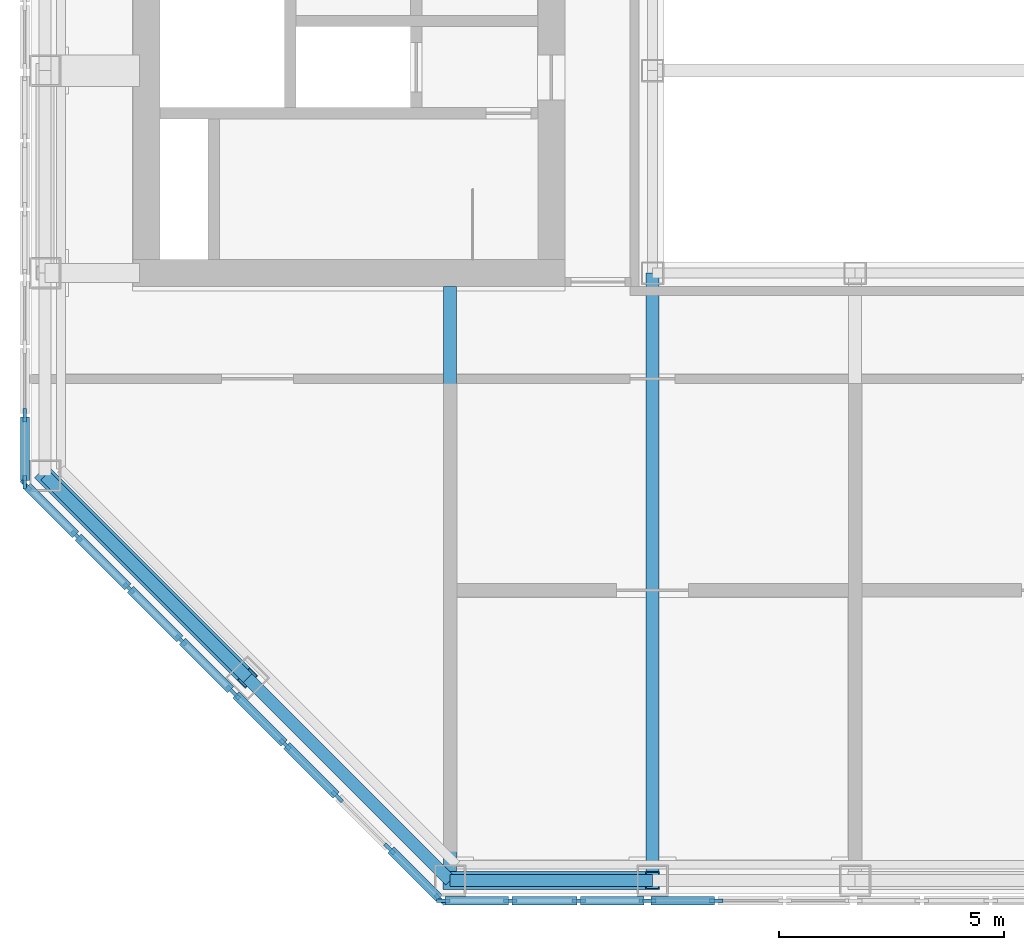
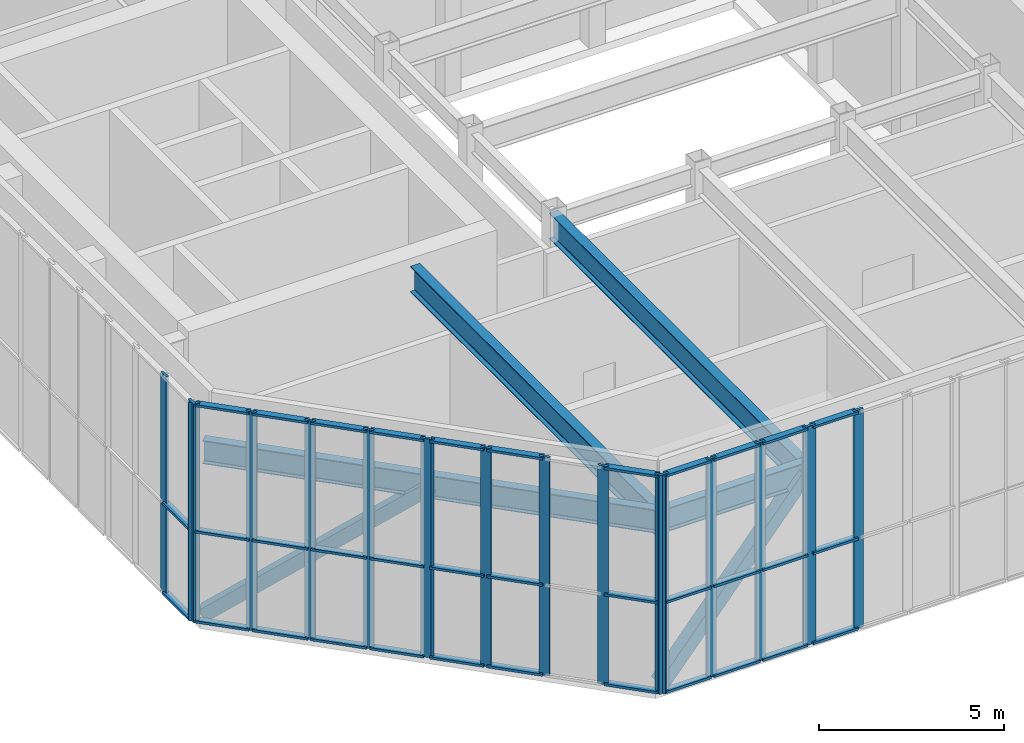
# One storey, part 2 of 15: 55 members, 5 beams, 5 elements without a shape of their own.
"""IFC4 building model written with IfcOpenShell, lengths in metres."""

from ifc_helpers import new_model, si_unit, direction, frame, origin, origin_2d, place, context, subcontext, project, spatial, rectangle, hollow_rectangle, i_section, extrude, material, material_profile, profile_set, type_object, element, aggregate, save


model = new_model("IFC4")

# Units and contexts
model_context = context("Model", 3, precision=1e-05, world=origin(), true_north=direction((0.0, 1.0)))
body_context = subcontext(model_context, "Body", "Model", "MODEL_VIEW")
ifc_project = project(units=[si_unit("LENGTHUNIT", "METRE"), si_unit("AREAUNIT", "SQUARE_METRE"), si_unit("VOLUMEUNIT", "CUBIC_METRE"), si_unit("PLANEANGLEUNIT", "RADIAN"), si_unit("MASSUNIT", "GRAM", prefix="KILO")], contexts=[model_context])

# Site, building, storey
site_placement = place(None, origin())
site = spatial("IfcSite", under=ifc_project, at=site_placement, CompositionType="ELEMENT")
building_placement = place(site_placement, origin())
building = spatial("IfcBuilding", under=site, at=building_placement, Name="Msasa Ring Tower", CompositionType="ELEMENT")
storey_placement = place(building_placement, frame((0.0, 0.0, 268.050048828125)))
storey = spatial("IfcBuildingStorey", under=building, at=storey_placement, Name="L69", CompositionType="ELEMENT", Elevation=268.050048828125)

# Curtain wall, members
ifc_material_1 = material(Name="Aluminium curtain wall with clear glass", Category="aluminium")
curtain_wall_type_1 = type_object("IfcCurtainWallType", Name="CW-L LANTERN CURTAIN WALL", PredefinedType="NOTDEFINED", material=ifc_material_1)
curtain_wall_1_placement = place(storey_placement, origin())
curtain_wall_1 = element("IfcCurtainWall", 1, at=curtain_wall_1_placement, inside=storey, type_object=curtain_wall_type_1, Name="Lantern curtain wall S2 L69", PredefinedType="NOTDEFINED")
ifc_material_2 = material(Name="Aluminium mullion", Category="aluminium")
ifc_material_profile_1 = material_profile(ifc_material_2, rectangle(XDim=0.080078125, YDim=0.300048828125, at=origin_2d()), Name="AL 80x300")
ifc_profile_set_1 = profile_set([ifc_material_profile_1], Name="Aluminium mullion")
member_type_1 = type_object("IfcMemberType", Name="CW-L MULLION 80x300", PredefinedType="MULLION", material=ifc_profile_set_1)
member_1_placement = place(storey_placement, frame((-6.82177734375, -20.699951171875, 0.0), z_axis=(0.0, 0.0, 1.0), x_axis=(0.0, 1.0, 0.0)))
member_1 = element("IfcMember", 2, at=member_1_placement, type_object=member_type_1, Name="CW-L mullion 1", PredefinedType="MULLION", context=body_context, shape_type="SweptSolid", body=[
    extrude(rectangle(XDim=0.080078125, YDim=0.300048828125, at=origin_2d()), origin(), (0.0, 0.0, 1.0), 7.199951171875),
])
member_2_placement = place(storey_placement, frame((-5.3369140625, -20.699951171875, 0.0), z_axis=(0.0, 0.0, 1.0), x_axis=(0.0, 1.0, 0.0)))
member_2 = element("IfcMember", 3, at=member_2_placement, type_object=member_type_1, Name="CW-L mullion 2", PredefinedType="MULLION", context=body_context, shape_type="SweptSolid", body=[
    extrude(rectangle(XDim=0.080078125, YDim=0.300048828125, at=origin_2d()), origin(), (0.0, 0.0, 1.0), 7.199951171875),
])

curtain_wall_2_placement = place(storey_placement, origin())
curtain_wall_2 = element("IfcCurtainWall", 4, at=curtain_wall_2_placement, inside=storey, type_object=curtain_wall_type_1, Name="Lantern curtain wall W6 L69", PredefinedType="NOTDEFINED")
member_3_placement = place(storey_placement, frame((-20.699951171875, -9.91162109375, 0.0), z_axis=(0.0, 0.0, 1.0), x_axis=(1.0, 0.0, 0.0)))
member_3 = element("IfcMember", 5, at=member_3_placement, type_object=member_type_1, Name="CW-L mullion 3", PredefinedType="MULLION", context=body_context, shape_type="SweptSolid", body=[
    extrude(rectangle(XDim=0.080078125, YDim=0.300048828125, at=origin_2d()), origin(), (0.0, 0.0, 1.0), 7.199951171875),
])
member_4_placement = place(storey_placement, frame((-20.699951171875, -11.396484375, 0.0), z_axis=(0.0, 0.0, 1.0), x_axis=(1.0, 0.0, 0.0)))
member_4 = element("IfcMember", 6, at=member_4_placement, type_object=member_type_1, Name="CW-L mullion 4", PredefinedType="MULLION", context=body_context, shape_type="SweptSolid", body=[
    extrude(rectangle(XDim=0.080078125, YDim=0.300048828125, at=origin_2d()), origin(), (0.0, 0.0, 1.0), 7.199951171875),
])

curtain_wall_3_placement = place(storey_placement, origin())
curtain_wall_3 = element("IfcCurtainWall", 7, at=curtain_wall_3_placement, inside=storey, type_object=curtain_wall_type_1, Name="Lantern curtain wall SW2 L69", PredefinedType="NOTDEFINED")
member_5_placement = place(storey_placement, frame((-16.039794921875, -16.096435546875, 0.0), z_axis=(0.0, 0.0, 1.0), x_axis=(0.707106781187, 0.707106781187, 0.0)))
member_5 = element("IfcMember", 8, at=member_5_placement, type_object=member_type_1, Name="CW-L mullion 1", PredefinedType="MULLION", context=body_context, shape_type="SweptSolid", body=[
    extrude(rectangle(XDim=0.080078125, YDim=0.300048828125, at=origin_2d()), origin(), (0.0, 0.0, 1.0), 7.199951171875),
])
member_6_placement = place(storey_placement, frame((-14.91015625, -17.22607421875, 0.0), z_axis=(0.0, 0.0, 1.0), x_axis=(0.707106781187, 0.707106781187, 0.0)))
member_6 = element("IfcMember", 9, at=member_6_placement, type_object=member_type_1, Name="CW-L mullion 2", PredefinedType="MULLION", context=body_context, shape_type="SweptSolid", body=[
    extrude(rectangle(XDim=0.080078125, YDim=0.300048828125, at=origin_2d()), origin(), (0.0, 0.0, 1.0), 7.199951171875),
])
member_7_placement = place(storey_placement, frame((-13.752197265625, -18.384033203125, 0.0), z_axis=(0.0, 0.0, 1.0), x_axis=(0.707106781187, 0.707106781187, 0.0)))
member_7 = element("IfcMember", 10, at=member_7_placement, type_object=member_type_1, Name="CW-L mullion 3", PredefinedType="MULLION", context=body_context, shape_type="SweptSolid", body=[
    extrude(rectangle(XDim=0.080078125, YDim=0.300048828125, at=origin_2d()), origin(), (0.0, 0.0, 1.0), 7.199951171875),
])
member_8_placement = place(storey_placement, frame((-12.59423828125, -19.5419921875, 0.0), z_axis=(0.0, 0.0, 1.0), x_axis=(0.707106781187, 0.707106781187, 0.0)))
member_8 = element("IfcMember", 11, at=member_8_placement, type_object=member_type_1, Name="CW-L mullion 4", PredefinedType="MULLION", context=body_context, shape_type="SweptSolid", body=[
    extrude(rectangle(XDim=0.080078125, YDim=0.300048828125, at=origin_2d()), origin(), (0.0, 0.0, 1.0), 7.199951171875),
])
member_9_placement = place(storey_placement, frame((-11.464599609375, -20.671630859375, 0.0), z_axis=(0.0, 0.0, 1.0), x_axis=(0.707106781187, 0.707106781187, 0.0)))
member_9 = element("IfcMember", 12, at=member_9_placement, type_object=member_type_1, Name="CW-L mullion 5", PredefinedType="MULLION", context=body_context, shape_type="SweptSolid", body=[
    extrude(rectangle(XDim=0.080078125, YDim=0.300048828125, at=origin_2d()), origin(), (0.0, 0.0, 1.0), 7.199951171875),
])

# Member
ifc_material_3 = material(Name="Aluminium transom", Category="aluminium")
ifc_material_profile_2 = material_profile(ifc_material_3, rectangle(XDim=0.199951171875, YDim=0.080078125, at=origin_2d()), Name="AL 80x200")
ifc_profile_set_2 = profile_set([ifc_material_profile_2], Name="Aluminium transom")
member_type_2 = type_object("IfcMemberType", Name="CW-L TRANSOM 80x200", PredefinedType="USERDEFINED", material=ifc_profile_set_2)
member_10_placement = place(storey_placement, frame((-6.78173828125, -20.699951171875, 0.0400390625), z_axis=(1.0, 0.0, 0.0), x_axis=(0.0, 1.0, 0.0)))
member_10 = element("IfcMember", 13, at=member_10_placement, type_object=member_type_2, Name="CW-L transom 1.1", ObjectType="TRANSOM", PredefinedType="USERDEFINED", context=body_context, shape_type="SweptSolid", body=[
    extrude(rectangle(XDim=0.199951171875, YDim=0.080078125, at=origin_2d()), origin(), (0.0, 0.0, 1.0), 1.40478515625),
])

member_11_placement = place(storey_placement, frame((-6.78173828125, -20.699951171875, 3.0), z_axis=(1.0, 0.0, 0.0), x_axis=(0.0, 1.0, 0.0)))
member_11 = element("IfcMember", 14, at=member_11_placement, type_object=member_type_2, Name="CW-L transom 1.2", ObjectType="TRANSOM", PredefinedType="USERDEFINED", context=body_context, shape_type="SweptSolid", body=[
    extrude(rectangle(XDim=0.199951171875, YDim=0.080078125, at=origin_2d()), origin(), (0.0, 0.0, 1.0), 1.40478515625),
])

member_12_placement = place(storey_placement, frame((-6.78173828125, -20.699951171875, 7.159912109375), z_axis=(1.0, 0.0, 0.0), x_axis=(0.0, 1.0, 0.0)))
member_12 = element("IfcMember", 15, at=member_12_placement, type_object=member_type_2, Name="CW-L transom 1.3", ObjectType="TRANSOM", PredefinedType="USERDEFINED", context=body_context, shape_type="SweptSolid", body=[
    extrude(rectangle(XDim=0.199951171875, YDim=0.080078125, at=origin_2d()), origin(), (0.0, 0.0, 1.0), 1.40478515625),
])

aggregate(curtain_wall_1, [member_1, member_2, member_10, member_11, member_12])

member_13_placement = place(storey_placement, frame((-20.699951171875, -9.951416015625, 0.0400390625), z_axis=(0.0, -1.0, 0.0), x_axis=(1.0, 0.0, 0.0)))
member_13 = element("IfcMember", 16, at=member_13_placement, type_object=member_type_2, Name="CW-L transom 3.1", ObjectType="TRANSOM", PredefinedType="USERDEFINED", context=body_context, shape_type="SweptSolid", body=[
    extrude(rectangle(XDim=0.199951171875, YDim=0.080078125, at=origin_2d()), origin(), (0.0, 0.0, 1.0), 1.405029296875),
])

member_14_placement = place(storey_placement, frame((-20.699951171875, -9.951416015625, 3.0), z_axis=(0.0, -1.0, 0.0), x_axis=(1.0, 0.0, 0.0)))
member_14 = element("IfcMember", 17, at=member_14_placement, type_object=member_type_2, Name="CW-L transom 3.2", ObjectType="TRANSOM", PredefinedType="USERDEFINED", context=body_context, shape_type="SweptSolid", body=[
    extrude(rectangle(XDim=0.199951171875, YDim=0.080078125, at=origin_2d()), origin(), (0.0, 0.0, 1.0), 1.405029296875),
])

aggregate(curtain_wall_2, [member_3, member_4, member_13, member_14])

member_15_placement = place(storey_placement, frame((-16.01171875, -16.124755859375, 0.0400390625), z_axis=(0.707187211918, -0.707026341306, 0.0), x_axis=(0.707026341306, 0.707187211918, 0.0)))
member_15 = element("IfcMember", 18, at=member_15_placement, type_object=member_type_2, Name="CW-L transom 1.1", ObjectType="TRANSOM", PredefinedType="USERDEFINED", context=body_context, shape_type="SweptSolid", body=[
    extrude(rectangle(XDim=0.199951171875, YDim=0.080078125, at=origin_2d()), origin(), (0.0, 0.0, 1.0), 1.517578125),
])

member_16_placement = place(storey_placement, frame((-16.01171875, -16.124755859375, 3.0), z_axis=(0.707187211918, -0.707026341306, 0.0), x_axis=(0.707026341306, 0.707187211918, 0.0)))
member_16 = element("IfcMember", 19, at=member_16_placement, type_object=member_type_2, Name="CW-L transom 1.2", ObjectType="TRANSOM", PredefinedType="USERDEFINED", context=body_context, shape_type="SweptSolid", body=[
    extrude(rectangle(XDim=0.199951171875, YDim=0.080078125, at=origin_2d()), origin(), (0.0, 0.0, 1.0), 1.517578125),
])

member_17_placement = place(storey_placement, frame((-16.01171875, -16.124755859375, 7.159912109375), z_axis=(0.707187211918, -0.707026341306, 0.0), x_axis=(0.707026341306, 0.707187211918, 0.0)))
member_17 = element("IfcMember", 20, at=member_17_placement, type_object=member_type_2, Name="CW-L transom 1.3", ObjectType="TRANSOM", PredefinedType="USERDEFINED", context=body_context, shape_type="SweptSolid", body=[
    extrude(rectangle(XDim=0.199951171875, YDim=0.080078125, at=origin_2d()), origin(), (0.0, 0.0, 1.0), 1.517578125),
])

member_18_placement = place(storey_placement, frame((-14.882080078125, -17.25439453125, 0.0400390625), z_axis=(0.707185143992, -0.707028409696, 0.0), x_axis=(0.707028409696, 0.707185143992, 0.0)))
member_18 = element("IfcMember", 21, at=member_18_placement, type_object=member_type_2, Name="CW-L transom 2.1", ObjectType="TRANSOM", PredefinedType="USERDEFINED", context=body_context, shape_type="SweptSolid", body=[
    extrude(rectangle(XDim=0.199951171875, YDim=0.080078125, at=origin_2d()), origin(), (0.0, 0.0, 1.0), 1.5576171875),
])

member_19_placement = place(storey_placement, frame((-14.882080078125, -17.25439453125, 3.0), z_axis=(0.707185143992, -0.707028409696, 0.0), x_axis=(0.707028409696, 0.707185143992, 0.0)))
member_19 = element("IfcMember", 22, at=member_19_placement, type_object=member_type_2, Name="CW-L transom 2.2", ObjectType="TRANSOM", PredefinedType="USERDEFINED", context=body_context, shape_type="SweptSolid", body=[
    extrude(rectangle(XDim=0.199951171875, YDim=0.080078125, at=origin_2d()), origin(), (0.0, 0.0, 1.0), 1.5576171875),
])

member_20_placement = place(storey_placement, frame((-14.882080078125, -17.25439453125, 7.159912109375), z_axis=(0.707185143992, -0.707028409696, 0.0), x_axis=(0.707028409696, 0.707185143992, 0.0)))
member_20 = element("IfcMember", 23, at=member_20_placement, type_object=member_type_2, Name="CW-L transom 2.3", ObjectType="TRANSOM", PredefinedType="USERDEFINED", context=body_context, shape_type="SweptSolid", body=[
    extrude(rectangle(XDim=0.199951171875, YDim=0.080078125, at=origin_2d()), origin(), (0.0, 0.0, 1.0), 1.5576171875),
])

member_21_placement = place(storey_placement, frame((-12.566162109375, -19.5703125, 0.0400390625), z_axis=(0.707187211918, -0.707026341306, 0.0), x_axis=(0.707026341306, 0.707187211918, 0.0)))
member_21 = element("IfcMember", 24, at=member_21_placement, type_object=member_type_2, Name="CW-L transom 4.1", ObjectType="TRANSOM", PredefinedType="USERDEFINED", context=body_context, shape_type="SweptSolid", body=[
    extrude(rectangle(XDim=0.199951171875, YDim=0.080078125, at=origin_2d()), origin(), (0.0, 0.0, 1.0), 1.517578125),
])

member_22_placement = place(storey_placement, frame((-12.566162109375, -19.5703125, 3.0), z_axis=(0.707187211918, -0.707026341306, 0.0), x_axis=(0.707026341306, 0.707187211918, 0.0)))
member_22 = element("IfcMember", 25, at=member_22_placement, type_object=member_type_2, Name="CW-L transom 4.2", ObjectType="TRANSOM", PredefinedType="USERDEFINED", context=body_context, shape_type="SweptSolid", body=[
    extrude(rectangle(XDim=0.199951171875, YDim=0.080078125, at=origin_2d()), origin(), (0.0, 0.0, 1.0), 1.517578125),
])

member_23_placement = place(storey_placement, frame((-12.566162109375, -19.5703125, 7.159912109375), z_axis=(0.707187211918, -0.707026341306, 0.0), x_axis=(0.707026341306, 0.707187211918, 0.0)))
member_23 = element("IfcMember", 26, at=member_23_placement, type_object=member_type_2, Name="CW-L transom 4.3", ObjectType="TRANSOM", PredefinedType="USERDEFINED", context=body_context, shape_type="SweptSolid", body=[
    extrude(rectangle(XDim=0.199951171875, YDim=0.080078125, at=origin_2d()), origin(), (0.0, 0.0, 1.0), 1.517578125),
])

aggregate(curtain_wall_3, [member_5, member_6, member_7, member_8, member_9, member_15, member_16, member_17, member_18, member_19, member_20, member_21, member_22, member_23])

# Curtain wall, members
ifc_material_4 = material(Name="Aluminium curtain wall with insulated terracotta-faced panels", Category="masonry")
curtain_wall_type_2 = type_object("IfcCurtainWallType", Name="CW-O OPAQUE LANTERN CURTAIN WALL", PredefinedType="NOTDEFINED", material=ifc_material_4)
curtain_wall_4_placement = place(storey_placement, origin())
curtain_wall_4 = element("IfcCurtainWall", 27, at=curtain_wall_4_placement, inside=storey, type_object=curtain_wall_type_2, Name="Lantern opaque curtain wall S1 L69", PredefinedType="NOTDEFINED")
ifc_material_5 = material(Name="Aluminium mullion", Category="aluminium")
ifc_material_profile_3 = material_profile(ifc_material_5, rectangle(XDim=0.080078125, YDim=0.300048828125, at=origin_2d()), Name="AL 80x300")
ifc_profile_set_3 = profile_set([ifc_material_profile_3], Name="Aluminium mullion")
member_type_3 = type_object("IfcMemberType", Name="CW-O MULLION 80x300", PredefinedType="MULLION", material=ifc_profile_set_3)
member_24_placement = place(storey_placement, frame((-11.396484375, -20.699951171875, 0.0), z_axis=(0.0, 0.0, 1.0), x_axis=(0.0, 1.0, 0.0)))
member_24 = element("IfcMember", 28, at=member_24_placement, type_object=member_type_3, Name="CW-O mullion 1", PredefinedType="MULLION", context=body_context, shape_type="SweptSolid", body=[
    extrude(rectangle(XDim=0.080078125, YDim=0.300048828125, at=origin_2d()), origin(), (0.0, 0.0, 1.0), 7.199951171875),
])
member_25_placement = place(storey_placement, frame((-9.91162109375, -20.699951171875, 0.0), z_axis=(0.0, 0.0, 1.0), x_axis=(0.0, 1.0, 0.0)))
member_25 = element("IfcMember", 29, at=member_25_placement, type_object=member_type_3, Name="CW-O mullion 2", PredefinedType="MULLION", context=body_context, shape_type="SweptSolid", body=[
    extrude(rectangle(XDim=0.080078125, YDim=0.300048828125, at=origin_2d()), origin(), (0.0, 0.0, 1.0), 7.199951171875),
])
member_26_placement = place(storey_placement, frame((-8.38671875, -20.699951171875, 0.0), z_axis=(0.0, 0.0, 1.0), x_axis=(0.0, 1.0, 0.0)))
member_26 = element("IfcMember", 30, at=member_26_placement, type_object=member_type_3, Name="CW-O mullion 3", PredefinedType="MULLION", context=body_context, shape_type="SweptSolid", body=[
    extrude(rectangle(XDim=0.080078125, YDim=0.300048828125, at=origin_2d()), origin(), (0.0, 0.0, 1.0), 7.199951171875),
])
member_27_placement = place(storey_placement, frame((-6.90185546875, -20.699951171875, 0.0), z_axis=(0.0, 0.0, 1.0), x_axis=(0.0, 1.0, 0.0)))
member_27 = element("IfcMember", 31, at=member_27_placement, type_object=member_type_3, Name="CW-O mullion 4", PredefinedType="MULLION", context=body_context, shape_type="SweptSolid", body=[
    extrude(rectangle(XDim=0.080078125, YDim=0.300048828125, at=origin_2d()), origin(), (0.0, 0.0, 1.0), 7.199951171875),
])

curtain_wall_5_placement = place(storey_placement, origin())
curtain_wall_5 = element("IfcCurtainWall", 32, at=curtain_wall_5_placement, inside=storey, type_object=curtain_wall_type_2, Name="Lantern opaque curtain wall SW1 L69", PredefinedType="NOTDEFINED")
member_28_placement = place(storey_placement, frame((-20.671630859375, -11.464599609375, 0.0), z_axis=(0.0, 0.0, 1.0), x_axis=(0.707106781187, 0.707106781187, 0.0)))
member_28 = element("IfcMember", 33, at=member_28_placement, type_object=member_type_3, Name="CW-O mullion 1", PredefinedType="MULLION", context=body_context, shape_type="SweptSolid", body=[
    extrude(rectangle(XDim=0.080078125, YDim=0.300048828125, at=origin_2d()), origin(), (0.0, 0.0, 1.0), 7.199951171875),
])
member_29_placement = place(storey_placement, frame((-19.5419921875, -12.59423828125, 0.0), z_axis=(0.0, 0.0, 1.0), x_axis=(0.707106781187, 0.707106781187, 0.0)))
member_29 = element("IfcMember", 34, at=member_29_placement, type_object=member_type_3, Name="CW-O mullion 2", PredefinedType="MULLION", context=body_context, shape_type="SweptSolid", body=[
    extrude(rectangle(XDim=0.080078125, YDim=0.300048828125, at=origin_2d()), origin(), (0.0, 0.0, 1.0), 7.199951171875),
])
member_30_placement = place(storey_placement, frame((-18.384033203125, -13.752197265625, 0.0), z_axis=(0.0, 0.0, 1.0), x_axis=(0.707106781187, 0.707106781187, 0.0)))
member_30 = element("IfcMember", 35, at=member_30_placement, type_object=member_type_3, Name="CW-O mullion 3", PredefinedType="MULLION", context=body_context, shape_type="SweptSolid", body=[
    extrude(rectangle(XDim=0.080078125, YDim=0.300048828125, at=origin_2d()), origin(), (0.0, 0.0, 1.0), 7.199951171875),
])
member_31_placement = place(storey_placement, frame((-17.22607421875, -14.91015625, 0.0), z_axis=(0.0, 0.0, 1.0), x_axis=(0.707106781187, 0.707106781187, 0.0)))
member_31 = element("IfcMember", 36, at=member_31_placement, type_object=member_type_3, Name="CW-O mullion 4", PredefinedType="MULLION", context=body_context, shape_type="SweptSolid", body=[
    extrude(rectangle(XDim=0.080078125, YDim=0.300048828125, at=origin_2d()), origin(), (0.0, 0.0, 1.0), 7.199951171875),
])
member_32_placement = place(storey_placement, frame((-16.096435546875, -16.039794921875, 0.0), z_axis=(0.0, 0.0, 1.0), x_axis=(0.707106781187, 0.707106781187, 0.0)))
member_32 = element("IfcMember", 37, at=member_32_placement, type_object=member_type_3, Name="CW-O mullion 5", PredefinedType="MULLION", context=body_context, shape_type="SweptSolid", body=[
    extrude(rectangle(XDim=0.080078125, YDim=0.300048828125, at=origin_2d()), origin(), (0.0, 0.0, 1.0), 7.199951171875),
])

# Member
ifc_material_6 = material(Name="Aluminium transom", Category="aluminium")
ifc_material_profile_4 = material_profile(ifc_material_6, rectangle(XDim=0.199951171875, YDim=0.080078125, at=origin_2d()), Name="AL 80x200")
ifc_profile_set_4 = profile_set([ifc_material_profile_4], Name="Aluminium transom")
member_type_4 = type_object("IfcMemberType", Name="CW-O TRANSOM 80x200", PredefinedType="USERDEFINED", material=ifc_profile_set_4)
member_33_placement = place(storey_placement, frame((-11.3564453125, -20.699951171875, 0.0400390625), z_axis=(1.0, 0.0, 0.0), x_axis=(0.0, 1.0, 0.0)))
member_33 = element("IfcMember", 38, at=member_33_placement, type_object=member_type_4, Name="CW-O transom 1.1", ObjectType="TRANSOM", PredefinedType="USERDEFINED", context=body_context, shape_type="SweptSolid", body=[
    extrude(rectangle(XDim=0.199951171875, YDim=0.080078125, at=origin_2d()), origin(), (0.0, 0.0, 1.0), 1.405029296875),
])

member_34_placement = place(storey_placement, frame((-11.3564453125, -20.699951171875, 3.0), z_axis=(1.0, 0.0, 0.0), x_axis=(0.0, 1.0, 0.0)))
member_34 = element("IfcMember", 39, at=member_34_placement, type_object=member_type_4, Name="CW-O transom 1.2", ObjectType="TRANSOM", PredefinedType="USERDEFINED", context=body_context, shape_type="SweptSolid", body=[
    extrude(rectangle(XDim=0.199951171875, YDim=0.080078125, at=origin_2d()), origin(), (0.0, 0.0, 1.0), 1.405029296875),
])

member_35_placement = place(storey_placement, frame((-11.3564453125, -20.699951171875, 7.159912109375), z_axis=(1.0, 0.0, 0.0), x_axis=(0.0, 1.0, 0.0)))
member_35 = element("IfcMember", 40, at=member_35_placement, type_object=member_type_4, Name="CW-O transom 1.3", ObjectType="TRANSOM", PredefinedType="USERDEFINED", context=body_context, shape_type="SweptSolid", body=[
    extrude(rectangle(XDim=0.199951171875, YDim=0.080078125, at=origin_2d()), origin(), (0.0, 0.0, 1.0), 1.405029296875),
])

member_36_placement = place(storey_placement, frame((-9.87158203125, -20.699951171875, 0.0400390625), z_axis=(1.0, 0.0, 0.0), x_axis=(0.0, 1.0, 0.0)))
member_36 = element("IfcMember", 41, at=member_36_placement, type_object=member_type_4, Name="CW-O transom 2.1", ObjectType="TRANSOM", PredefinedType="USERDEFINED", context=body_context, shape_type="SweptSolid", body=[
    extrude(rectangle(XDim=0.199951171875, YDim=0.080078125, at=origin_2d()), origin(), (0.0, 0.0, 1.0), 1.44482421875),
])

member_37_placement = place(storey_placement, frame((-9.87158203125, -20.699951171875, 3.0), z_axis=(1.0, 0.0, 0.0), x_axis=(0.0, 1.0, 0.0)))
member_37 = element("IfcMember", 42, at=member_37_placement, type_object=member_type_4, Name="CW-O transom 2.2", ObjectType="TRANSOM", PredefinedType="USERDEFINED", context=body_context, shape_type="SweptSolid", body=[
    extrude(rectangle(XDim=0.199951171875, YDim=0.080078125, at=origin_2d()), origin(), (0.0, 0.0, 1.0), 1.44482421875),
])

member_38_placement = place(storey_placement, frame((-9.87158203125, -20.699951171875, 7.159912109375), z_axis=(1.0, 0.0, 0.0), x_axis=(0.0, 1.0, 0.0)))
member_38 = element("IfcMember", 43, at=member_38_placement, type_object=member_type_4, Name="CW-O transom 2.3", ObjectType="TRANSOM", PredefinedType="USERDEFINED", context=body_context, shape_type="SweptSolid", body=[
    extrude(rectangle(XDim=0.199951171875, YDim=0.080078125, at=origin_2d()), origin(), (0.0, 0.0, 1.0), 1.44482421875),
])

member_39_placement = place(storey_placement, frame((-8.3466796875, -20.699951171875, 0.0400390625), z_axis=(1.0, 0.0, 0.0), x_axis=(0.0, 1.0, 0.0)))
member_39 = element("IfcMember", 44, at=member_39_placement, type_object=member_type_4, Name="CW-O transom 3.1", ObjectType="TRANSOM", PredefinedType="USERDEFINED", context=body_context, shape_type="SweptSolid", body=[
    extrude(rectangle(XDim=0.199951171875, YDim=0.080078125, at=origin_2d()), origin(), (0.0, 0.0, 1.0), 1.40478515625),
])

member_40_placement = place(storey_placement, frame((-8.3466796875, -20.699951171875, 3.0), z_axis=(1.0, 0.0, 0.0), x_axis=(0.0, 1.0, 0.0)))
member_40 = element("IfcMember", 45, at=member_40_placement, type_object=member_type_4, Name="CW-O transom 3.2", ObjectType="TRANSOM", PredefinedType="USERDEFINED", context=body_context, shape_type="SweptSolid", body=[
    extrude(rectangle(XDim=0.199951171875, YDim=0.080078125, at=origin_2d()), origin(), (0.0, 0.0, 1.0), 1.40478515625),
])

member_41_placement = place(storey_placement, frame((-8.3466796875, -20.699951171875, 7.159912109375), z_axis=(1.0, 0.0, 0.0), x_axis=(0.0, 1.0, 0.0)))
member_41 = element("IfcMember", 46, at=member_41_placement, type_object=member_type_4, Name="CW-O transom 3.3", ObjectType="TRANSOM", PredefinedType="USERDEFINED", context=body_context, shape_type="SweptSolid", body=[
    extrude(rectangle(XDim=0.199951171875, YDim=0.080078125, at=origin_2d()), origin(), (0.0, 0.0, 1.0), 1.40478515625),
])

aggregate(curtain_wall_4, [member_24, member_25, member_26, member_27, member_33, member_34, member_35, member_36, member_37, member_38, member_39, member_40, member_41])

member_42_placement = place(storey_placement, frame((-20.643310546875, -11.492919921875, 0.0400390625), z_axis=(0.707026341306, -0.707187211918, 0.0), x_axis=(0.707187211918, 0.707026341306, 0.0)))
member_42 = element("IfcMember", 47, at=member_42_placement, type_object=member_type_4, Name="CW-O transom 1.1", ObjectType="TRANSOM", PredefinedType="USERDEFINED", context=body_context, shape_type="SweptSolid", body=[
    extrude(rectangle(XDim=0.199951171875, YDim=0.080078125, at=origin_2d()), origin(), (0.0, 0.0, 1.0), 1.517578125),
])

member_43_placement = place(storey_placement, frame((-20.643310546875, -11.492919921875, 3.0), z_axis=(0.707026341306, -0.707187211918, 0.0), x_axis=(0.707187211918, 0.707026341306, 0.0)))
member_43 = element("IfcMember", 48, at=member_43_placement, type_object=member_type_4, Name="CW-O transom 1.2", ObjectType="TRANSOM", PredefinedType="USERDEFINED", context=body_context, shape_type="SweptSolid", body=[
    extrude(rectangle(XDim=0.199951171875, YDim=0.080078125, at=origin_2d()), origin(), (0.0, 0.0, 1.0), 1.517578125),
])

member_44_placement = place(storey_placement, frame((-20.643310546875, -11.492919921875, 7.159912109375), z_axis=(0.707026341306, -0.707187211918, 0.0), x_axis=(0.707187211918, 0.707026341306, 0.0)))
member_44 = element("IfcMember", 49, at=member_44_placement, type_object=member_type_4, Name="CW-O transom 1.3", ObjectType="TRANSOM", PredefinedType="USERDEFINED", context=body_context, shape_type="SweptSolid", body=[
    extrude(rectangle(XDim=0.199951171875, YDim=0.080078125, at=origin_2d()), origin(), (0.0, 0.0, 1.0), 1.517578125),
])

member_45_placement = place(storey_placement, frame((-19.513671875, -12.62255859375, 0.0400390625), z_axis=(0.707028409696, -0.707185143992, 0.0), x_axis=(0.707185143992, 0.707028409696, 0.0)))
member_45 = element("IfcMember", 50, at=member_45_placement, type_object=member_type_4, Name="CW-O transom 2.1", ObjectType="TRANSOM", PredefinedType="USERDEFINED", context=body_context, shape_type="SweptSolid", body=[
    extrude(rectangle(XDim=0.199951171875, YDim=0.080078125, at=origin_2d()), origin(), (0.0, 0.0, 1.0), 1.5576171875),
])

member_46_placement = place(storey_placement, frame((-19.513671875, -12.62255859375, 3.0), z_axis=(0.707028409696, -0.707185143992, 0.0), x_axis=(0.707185143992, 0.707028409696, 0.0)))
member_46 = element("IfcMember", 51, at=member_46_placement, type_object=member_type_4, Name="CW-O transom 2.2", ObjectType="TRANSOM", PredefinedType="USERDEFINED", context=body_context, shape_type="SweptSolid", body=[
    extrude(rectangle(XDim=0.199951171875, YDim=0.080078125, at=origin_2d()), origin(), (0.0, 0.0, 1.0), 1.5576171875),
])

member_47_placement = place(storey_placement, frame((-19.513671875, -12.62255859375, 7.159912109375), z_axis=(0.707028409696, -0.707185143992, 0.0), x_axis=(0.707185143992, 0.707028409696, 0.0)))
member_47 = element("IfcMember", 52, at=member_47_placement, type_object=member_type_4, Name="CW-O transom 2.3", ObjectType="TRANSOM", PredefinedType="USERDEFINED", context=body_context, shape_type="SweptSolid", body=[
    extrude(rectangle(XDim=0.199951171875, YDim=0.080078125, at=origin_2d()), origin(), (0.0, 0.0, 1.0), 1.5576171875),
])

member_48_placement = place(storey_placement, frame((-18.355712890625, -13.780517578125, 0.0400390625), z_axis=(0.707028409696, -0.707185143992, 0.0), x_axis=(0.707185143992, 0.707028409696, 0.0)))
member_48 = element("IfcMember", 53, at=member_48_placement, type_object=member_type_4, Name="CW-O transom 3.1", ObjectType="TRANSOM", PredefinedType="USERDEFINED", context=body_context, shape_type="SweptSolid", body=[
    extrude(rectangle(XDim=0.199951171875, YDim=0.080078125, at=origin_2d()), origin(), (0.0, 0.0, 1.0), 1.5576171875),
])

member_49_placement = place(storey_placement, frame((-18.355712890625, -13.780517578125, 3.0), z_axis=(0.707028409696, -0.707185143992, 0.0), x_axis=(0.707185143992, 0.707028409696, 0.0)))
member_49 = element("IfcMember", 54, at=member_49_placement, type_object=member_type_4, Name="CW-O transom 3.2", ObjectType="TRANSOM", PredefinedType="USERDEFINED", context=body_context, shape_type="SweptSolid", body=[
    extrude(rectangle(XDim=0.199951171875, YDim=0.080078125, at=origin_2d()), origin(), (0.0, 0.0, 1.0), 1.5576171875),
])

member_50_placement = place(storey_placement, frame((-18.355712890625, -13.780517578125, 7.159912109375), z_axis=(0.707028409696, -0.707185143992, 0.0), x_axis=(0.707185143992, 0.707028409696, 0.0)))
member_50 = element("IfcMember", 55, at=member_50_placement, type_object=member_type_4, Name="CW-O transom 3.3", ObjectType="TRANSOM", PredefinedType="USERDEFINED", context=body_context, shape_type="SweptSolid", body=[
    extrude(rectangle(XDim=0.199951171875, YDim=0.080078125, at=origin_2d()), origin(), (0.0, 0.0, 1.0), 1.5576171875),
])

member_51_placement = place(storey_placement, frame((-17.19775390625, -14.9384765625, 0.0400390625), z_axis=(0.707026341306, -0.707187211918, 0.0), x_axis=(0.707187211918, 0.707026341306, 0.0)))
member_51 = element("IfcMember", 56, at=member_51_placement, type_object=member_type_4, Name="CW-O transom 4.1", ObjectType="TRANSOM", PredefinedType="USERDEFINED", context=body_context, shape_type="SweptSolid", body=[
    extrude(rectangle(XDim=0.199951171875, YDim=0.080078125, at=origin_2d()), origin(), (0.0, 0.0, 1.0), 1.517578125),
])

member_52_placement = place(storey_placement, frame((-17.19775390625, -14.9384765625, 3.0), z_axis=(0.707026341306, -0.707187211918, 0.0), x_axis=(0.707187211918, 0.707026341306, 0.0)))
member_52 = element("IfcMember", 57, at=member_52_placement, type_object=member_type_4, Name="CW-O transom 4.2", ObjectType="TRANSOM", PredefinedType="USERDEFINED", context=body_context, shape_type="SweptSolid", body=[
    extrude(rectangle(XDim=0.199951171875, YDim=0.080078125, at=origin_2d()), origin(), (0.0, 0.0, 1.0), 1.517578125),
])

member_53_placement = place(storey_placement, frame((-17.19775390625, -14.9384765625, 7.159912109375), z_axis=(0.707026341306, -0.707187211918, 0.0), x_axis=(0.707187211918, 0.707026341306, 0.0)))
member_53 = element("IfcMember", 58, at=member_53_placement, type_object=member_type_4, Name="CW-O transom 4.3", ObjectType="TRANSOM", PredefinedType="USERDEFINED", context=body_context, shape_type="SweptSolid", body=[
    extrude(rectangle(XDim=0.199951171875, YDim=0.080078125, at=origin_2d()), origin(), (0.0, 0.0, 1.0), 1.517578125),
])

aggregate(curtain_wall_5, [member_28, member_29, member_30, member_31, member_32, member_42, member_43, member_44, member_45, member_46, member_47, member_48, member_49, member_50, member_51, member_52, member_53])

# Beams
ifc_material_7 = material(Name="Steel S355", Category="steel")
ifc_material_profile_5 = material_profile(ifc_material_7, i_section(OverallWidth=0.293701171875, OverallDepth=0.850830078125, WebThickness=0.01611328125, FlangeThickness=0.02685546875, FilletRadius=0.017822265625, at=origin_2d()), Name="UB 838x292x226")
ifc_profile_set_5 = profile_set([ifc_material_profile_5], Name="Steel S355")
beam_type_1 = type_object("IfcBeamType", Name="FB5 UB 838x292x226", PredefinedType="BEAM", material=ifc_profile_set_5)
beam_1_placement = place(storey_placement, frame((-11.25, -20.25, 5.324462890625), z_axis=(0.0, 1.0, 0.0), x_axis=(-1.0, 0.0, 0.0)))
element("IfcBeam", 59, at=beam_1_placement, inside=storey, type_object=beam_type_1, Name="Floor beam S-11.25 under roof", PredefinedType="BEAM", context=body_context, shape_type="SweptSolid", body=[
    extrude(i_section(OverallWidth=0.293701171875, OverallDepth=0.850830078125, WebThickness=0.01611328125, FlangeThickness=0.02685546875, FilletRadius=0.017822265625, at=origin_2d()), origin(), (0.0, 0.0, 1.0), 13.199951171875),
])
beam_2_placement = place(storey_placement, frame((-6.75, -20.25, 5.324462890625), z_axis=(0.0, 1.0, 0.0), x_axis=(-1.0, 0.0, 0.0)))
element("IfcBeam", 60, at=beam_2_placement, inside=storey, type_object=beam_type_1, Name="Floor beam S-6.75 under roof", PredefinedType="BEAM", context=body_context, shape_type="SweptSolid", body=[
    extrude(i_section(OverallWidth=0.293701171875, OverallDepth=0.850830078125, WebThickness=0.01611328125, FlangeThickness=0.02685546875, FilletRadius=0.017822265625, at=origin_2d()), origin(), (0.0, 0.0, 1.0), 13.5),
])

# Members
ifc_material_8 = material(Name="Steel S355", Category="steel")
ifc_material_profile_6 = material_profile(ifc_material_8, hollow_rectangle(XDim=0.39990234375, YDim=0.39990234375, WallThickness=0.02001953125, at=origin_2d()), Name="SHS 400x400x20")
ifc_profile_set_6 = profile_set([ifc_material_profile_6], Name="Steel S355")
member_type_5 = type_object("IfcMemberType", Name="HT1 SHS 400x400x20", PredefinedType="BRACE", material=ifc_profile_set_6)
member_54_placement = place(storey_placement, frame((-20.25, -11.25, 0.0), z_axis=(0.540628323546, -0.540628323546, 0.644547928055), x_axis=(0.707106781187, 0.707106781187, 0.0)))
element("IfcMember", 61, at=member_54_placement, inside=storey, type_object=member_type_5, Name="Hat truss brace W-11.25 L69", PredefinedType="BRACE", context=body_context, shape_type="SweptSolid", body=[
    extrude(hollow_rectangle(XDim=0.39990234375, YDim=0.39990234375, WallThickness=0.02001953125, at=origin_2d()), origin(), (0.0, 0.0, 1.0), 8.32373046875),
])
member_55_placement = place(storey_placement, frame((-11.25, -20.25, 0.0), z_axis=(0.642639992049, 0.0, 0.766168284791), x_axis=(0.0, 1.0, 0.0)))
element("IfcMember", 62, at=member_55_placement, inside=storey, type_object=member_type_5, Name="Hat truss brace S-11.25 L69", PredefinedType="BRACE", context=body_context, shape_type="SweptSolid", body=[
    extrude(hollow_rectangle(XDim=0.39990234375, YDim=0.39990234375, WallThickness=0.02001953125, at=origin_2d()), origin(), (0.0, 0.0, 1.0), 7.00244140625),
])

# Beams
ifc_material_9 = material(Name="Steel S355", Category="steel")
ifc_material_profile_7 = material_profile(ifc_material_9, i_section(OverallWidth=0.26806640625, OverallDepth=0.769775390625, WebThickness=0.015625, FlangeThickness=0.025390625, FilletRadius=0.0166015625, at=origin_2d()), Name="UB 762x267x197")
ifc_profile_set_7 = profile_set([ifc_material_profile_7], Name="Steel S355")
beam_type_2 = type_object("IfcBeamType", Name="SB4 UB 762x267x197", PredefinedType="SPANDREL", material=ifc_profile_set_7)
for number, where, z_axis, x_axis, name in (
    (63, (-20.25, -11.25, 5.364990234375), (0.707106781187, -0.707106781187, 0.0), (0.707106781187, 0.707106781187, 0.0), "Spandrel W-11.25 to SW under roof"),
    (64, (-15.75, -15.75, 5.364990234375), (0.707106781187, -0.707106781187, 0.0), (0.707106781187, 0.707106781187, 0.0), "Spandrel SW to S-11.25 under roof"),
):
    element("IfcBeam", number, at=place(storey_placement, frame(where, z_axis=z_axis, x_axis=x_axis)), inside=storey, type_object=beam_type_2, Name=name, PredefinedType="SPANDREL", context=body_context, shape_type="SweptSolid", body=[
        extrude(i_section(OverallWidth=0.26806640625, OverallDepth=0.769775390625, WebThickness=0.015625, FlangeThickness=0.025390625, FilletRadius=0.0166015625, at=origin_2d()), origin(), (0.0, 0.0, 1.0), 6.364013671875),
    ])
beam_3_placement = place(storey_placement, frame((-11.25, -20.25, 5.364990234375), z_axis=(1.0, 0.0, 0.0), x_axis=(0.0, 1.0, 0.0)))
element("IfcBeam", 65, at=beam_3_placement, inside=storey, type_object=beam_type_2, Name="Spandrel S-11.25 to S-6.75 under roof", PredefinedType="SPANDREL", context=body_context, shape_type="SweptSolid", body=[
    extrude(i_section(OverallWidth=0.26806640625, OverallDepth=0.769775390625, WebThickness=0.015625, FlangeThickness=0.025390625, FilletRadius=0.0166015625, at=origin_2d()), origin(), (0.0, 0.0, 1.0), 4.5),
])

save(model, "model.ifc")
